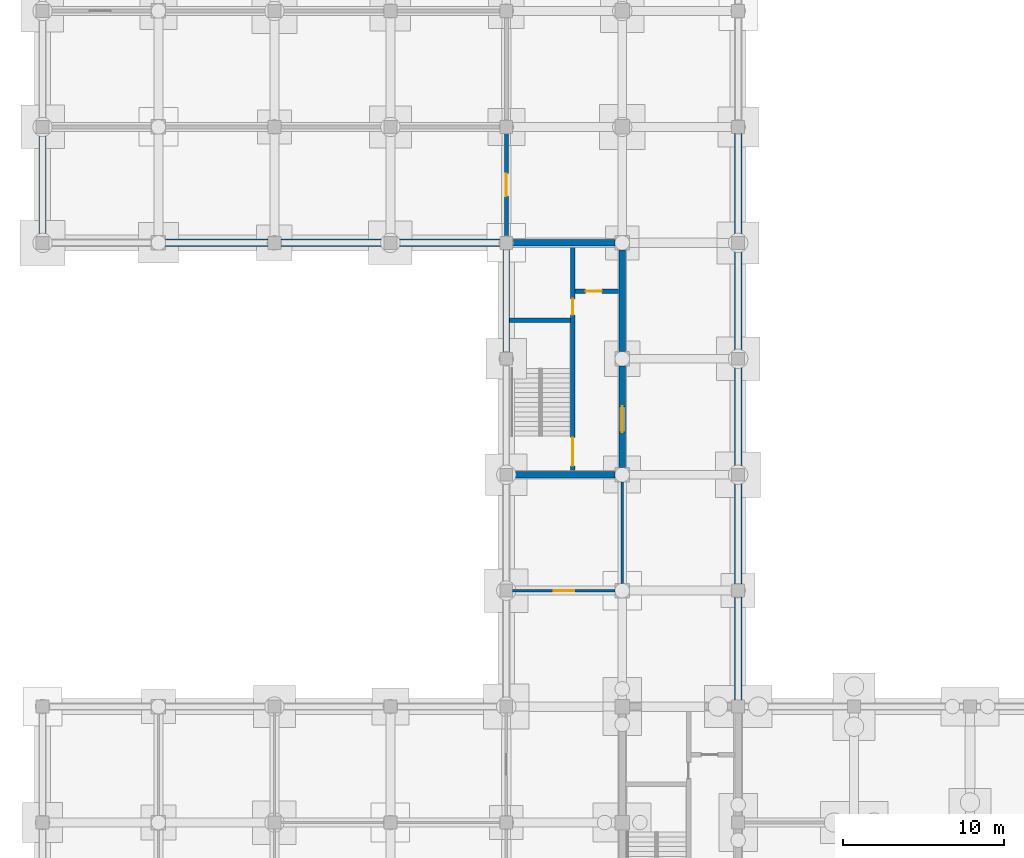
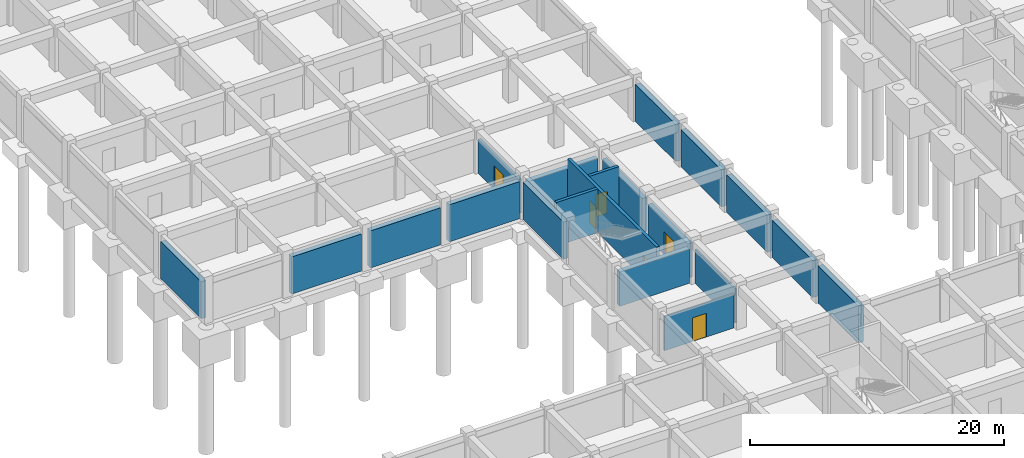
# One storey, part 15 of 25: 20 walls, 6 doors, 6 openings.
"""IFC4 building model written with IfcOpenShell, lengths in metres."""

from ifc_helpers import new_model, si_unit, direction, frame, frame_2d, origin, place, context, subcontext, project, spatial, rectangle, extrude, material, layer, layer_set, type_object, element, fill, save


model = new_model("IFC4")

# Units and contexts
model_context = context("Model", 3, precision=1e-05, world=origin(), true_north=direction((0.0, 1.0)))
body_context = subcontext(model_context, "Body", "Model", "MODEL_VIEW")
ifc_project = project(units=[si_unit("LENGTHUNIT", "METRE"), si_unit("AREAUNIT", "SQUARE_METRE"), si_unit("VOLUMEUNIT", "CUBIC_METRE"), si_unit("PLANEANGLEUNIT", "RADIAN"), si_unit("MASSUNIT", "GRAM", prefix="KILO")], contexts=[model_context])

# Site, building, storey
site_placement = place(None, origin())
site = spatial("IfcSite", under=ifc_project, at=site_placement, CompositionType="ELEMENT")
building_placement = place(site_placement, origin())
building = spatial("IfcBuilding", under=site, at=building_placement, Name="Cendaluz Park School", CompositionType="ELEMENT")
storey_placement = place(building_placement, frame((0.0, 0.0, -4.5)))
storey = spatial("IfcBuildingStorey", under=building, at=storey_placement, Name="B1", CompositionType="ELEMENT", Elevation=-4.5)

# Wall, opening, door
ifc_material_1 = material(Name="Gypsum Plasterboard on Cold-Formed Stud", Category="gypsum")
ifc_layer_1 = layer(ifc_material_1, 0.25)
ifc_layer_set_1 = layer_set([ifc_layer_1], Name="Gypsum Plasterboard on Cold-Formed Stud")
wall_type_1 = type_object("IfcWallType", Name="W-CP25", PredefinedType="PARTITIONING", material=ifc_layer_set_1)
wall_1_placement = place(storey_placement, frame((28.800048828125, 58.0, 0.0), z_axis=(0.0, 0.0, 1.0), x_axis=(0.0, 1.0, 0.0)))
wall_1 = element("IfcWall", 1, at=wall_1_placement, inside=storey, type_object=wall_type_1, Name="WL-BA-BY4", PredefinedType="PARTITIONING", context=body_context, shape_type="SweptSolid", body=[
    extrude(rectangle(XDim=6.39990234375, YDim=0.25, at=frame_2d((3.199951171875, 0.0))), origin(), (0.0, 0.0, 1.0), 3.300048828125),
])
opening_1_placement = place(wall_1_placement, frame((2.5, 0.0, 0.0)))
opening_1 = element("IfcOpeningElement", 2, at=opening_1_placement, cuts=wall_1, Name="Opening DPL-01", PredefinedType="OPENING", context=body_context, shape_type="SweptSolid", body=[
    extrude(rectangle(XDim=1.39990234375, YDim=2.25, at=frame_2d((0.699951171875, 1.125))), frame((0.0, 0.136962890625, 0.0), z_axis=(0.0, -1.0, 0.0), x_axis=(1.0, 0.0, 0.0)), (0.0, 0.0, 1.0), 0.27392578125),
])
ifc_material_2 = material(Name="Solid Core Hardwood", Category="wood")
door_type_1 = type_object("IfcDoorType", Name="DPL-01", OperationType="DOUBLE_DOOR_SINGLE_SWING", PredefinedType="DOOR", material=ifc_material_2)
door_1_placement = place(opening_1_placement, frame((1.39990234375, 0.0, 0.0), z_axis=(0.0, 0.0, 1.0), x_axis=(-1.0, 0.0, 0.0)))
door_1 = element("IfcDoor", 3, at=door_1_placement, inside=storey, type_object=door_type_1, Name="D-B1-035", OperationType="DOUBLE_DOOR_SINGLE_SWING", OverallHeight=2.25, OverallWidth=1.39990234375, PredefinedType="DOOR", context=body_context, shape_type="SweptSolid", body=[
    extrude(rectangle(XDim=1.39990234375, YDim=2.25, at=frame_2d((0.699951171875, 1.125))), frame((0.0, 0.02490234375, 0.0), z_axis=(0.0, -1.0, 0.0), x_axis=(1.0, 0.0, 0.0)), (0.0, 0.0, 1.0), 0.050048828125),
])
fill(opening_1, door_1)

# Wall, openings, doors
ifc_material_3 = material(Name="Concrete C40/50", Category="concrete")
ifc_layer_2 = layer(ifc_material_3, 0.280029296875)
ifc_layer_set_2 = layer_set([ifc_layer_2], Name="Concrete C40/50")
wall_type_2 = type_object("IfcWallType", Name="W-FW28", PredefinedType="SHEAR", material=ifc_layer_set_2)
wall_2_placement = place(storey_placement, frame((32.919921875, 43.39990234375, 0.0), z_axis=(0.0, 0.0, 1.0), x_axis=(0.0, 1.0, 0.0)))
wall_2 = element("IfcWall", 4, at=wall_2_placement, inside=storey, type_object=wall_type_2, Name="WL-BA-BW8", PredefinedType="SHEAR", context=body_context, shape_type="SweptSolid", body=[
    extrude(rectangle(XDim=14.0, YDim=0.280029296875, at=frame_2d((7.0, 0.0))), origin(), (0.0, 0.0, 1.0), 4.199951171875),
])
opening_2_placement = place(wall_2_placement, frame((0.35009765625, 0.0, 0.0)))
opening_2 = element("IfcOpeningElement", 5, at=opening_2_placement, cuts=wall_2, Name="Opening DST-03", PredefinedType="OPENING", context=body_context, shape_type="SweptSolid", body=[
    extrude(rectangle(XDim=1.75, YDim=2.14990234375, at=frame_2d((0.875, 1.074951171875))), frame((0.0, 0.152099609375, 0.0), z_axis=(0.0, -1.0, 0.0), x_axis=(1.0, 0.0, 0.0)), (0.0, 0.0, 1.0), 0.303955078125),
])
opening_3_placement = place(wall_2_placement, frame((9.719970703125, 0.0, 0.0)))
opening_3 = element("IfcOpeningElement", 6, at=opening_3_placement, cuts=wall_2, Name="Opening DFC-01", PredefinedType="OPENING", context=body_context, shape_type="SweptSolid", body=[
    extrude(rectangle(XDim=1.0, YDim=2.14990234375, at=frame_2d((0.5, 1.074951171875))), frame((0.0, 0.152099609375, 0.0), z_axis=(0.0, -1.0, 0.0), x_axis=(1.0, 0.0, 0.0)), (0.0, 0.0, 1.0), 0.303955078125),
])
door_type_2 = type_object("IfcDoorType", Name="DFC-01", OperationType="NOTDEFINED", PredefinedType="DOOR", material=ifc_material_2)
door_2_placement = place(opening_3_placement, origin())
door_2 = element("IfcDoor", 7, at=door_2_placement, inside=storey, type_object=door_type_2, Name="D-B1-029", OperationType="SINGLE_SWING_LEFT", OverallHeight=2.14990234375, OverallWidth=1.0, PredefinedType="DOOR", context=body_context, shape_type="SweptSolid", body=[
    extrude(rectangle(XDim=1.0, YDim=2.14990234375, at=frame_2d((0.5, 1.074951171875))), frame((0.0, 0.02490234375, 0.0), z_axis=(0.0, -1.0, 0.0), x_axis=(1.0, 0.0, 0.0)), (0.0, 0.0, 1.0), 0.050048828125),
])
fill(opening_3, door_2)
door_type_3 = type_object("IfcDoorType", Name="DST-03", OperationType="DOUBLE_DOOR_SINGLE_SWING", PredefinedType="DOOR", material=ifc_material_2)
door_3_placement = place(opening_2_placement, origin())
door_3 = element("IfcDoor", 8, at=door_3_placement, inside=storey, type_object=door_type_3, Name="D-B1-028", OperationType="DOUBLE_DOOR_SINGLE_SWING", OverallHeight=2.14990234375, OverallWidth=1.75, PredefinedType="DOOR", context=body_context, shape_type="SweptSolid", body=[
    extrude(rectangle(XDim=1.75, YDim=2.14990234375, at=frame_2d((0.875, 1.074951171875))), frame((0.0, 0.02490234375, 0.0), z_axis=(0.0, -1.0, 0.0), x_axis=(1.0, 0.0, 0.0)), (0.0, 0.0, 1.0), 0.050048828125),
])
fill(opening_2, door_3)

# Wall
wall_3_placement = place(storey_placement, frame((29.0, 52.780029296875, 0.0), z_axis=(0.0, 0.0, 1.0), x_axis=(1.0, 0.0, 0.0)))
element("IfcWall", 9, at=wall_3_placement, inside=storey, type_object=wall_type_2, Name="WL-BA-BW9", PredefinedType="SHEAR", context=body_context, shape_type="SweptSolid", body=[
    extrude(rectangle(XDim=3.780029296875, YDim=0.280029296875, at=frame_2d((1.89013671875, 0.0))), origin(), (0.0, 0.0, 1.0), 4.199951171875),
])

# Wall, opening, door
wall_4_placement = place(storey_placement, frame((33.080078125, 54.60009765625, 0.0), z_axis=(0.0, 0.0, 1.0), x_axis=(1.0, 0.0, 0.0)))
wall_4 = element("IfcWall", 10, at=wall_4_placement, inside=storey, type_object=wall_type_2, Name="WL-BA-BX0", PredefinedType="SHEAR", context=body_context, shape_type="SweptSolid", body=[
    extrude(rectangle(XDim=2.679931640625, YDim=0.280029296875, at=frame_2d((1.33984375, 0.0))), origin(), (0.0, 0.0, 1.0), 4.199951171875),
])
opening_4_placement = place(wall_4_placement, frame((0.64990234375, 0.0, 0.0)))
opening_4 = element("IfcOpeningElement", 11, at=opening_4_placement, cuts=wall_4, Name="Opening DFC-01", PredefinedType="OPENING", context=body_context, shape_type="SweptSolid", body=[
    extrude(rectangle(XDim=1.0, YDim=2.14990234375, at=frame_2d((0.5, 1.074951171875))), frame((0.0, 0.152099609375, 0.0), z_axis=(0.0, -1.0, 0.0), x_axis=(1.0, 0.0, 0.0)), (0.0, 0.0, 1.0), 0.303955078125),
])
door_4_placement = place(opening_4_placement, frame((1.0, 0.0, 0.0), z_axis=(0.0, 0.0, 1.0), x_axis=(-1.0, 0.0, 0.0)))
door_4 = element("IfcDoor", 12, at=door_4_placement, inside=storey, type_object=door_type_2, Name="D-B1-030", OperationType="SINGLE_SWING_RIGHT", OverallHeight=2.14990234375, OverallWidth=1.0, PredefinedType="DOOR", context=body_context, shape_type="SweptSolid", body=[
    extrude(rectangle(XDim=1.0, YDim=2.14990234375, at=frame_2d((0.5, 1.074951171875))), frame((0.0, 0.02490234375, 0.0), z_axis=(0.0, -1.0, 0.0), x_axis=(1.0, 0.0, 0.0)), (0.0, 0.0, 1.0), 0.050048828125),
])
fill(opening_4, door_4)

# Walls
ifc_layer_3 = layer(ifc_material_3, 0.449951171875)
ifc_layer_set_3 = layer_set([ifc_layer_3], Name="Concrete C40/50")
wall_type_3 = type_object("IfcWallType", Name="W-RT45", PredefinedType="SOLIDWALL", material=ifc_layer_set_3)
wall_5_placement = place(storey_placement, frame((0.0, 58.0, 0.0), z_axis=(0.0, 0.0, 1.0), x_axis=(0.0, 1.0, 0.0)))
element("IfcWall", 13, at=wall_5_placement, inside=storey, type_object=wall_type_3, Name="WL-BA-AA7", PredefinedType="SOLIDWALL", context=body_context, shape_type="SweptSolid", body=[
    extrude(rectangle(XDim=6.39990234375, YDim=0.449951171875, at=frame_2d((3.199951171875, 0.0))), origin(), (0.0, 0.0, 1.0), 3.570068359375),
])
wall_6_placement = place(storey_placement, frame((7.64990234375, 57.60009765625, 0.0), z_axis=(0.0, 0.0, 1.0), x_axis=(1.0, 0.0, 0.0)))
element("IfcWall", 14, at=wall_6_placement, inside=storey, type_object=wall_type_3, Name="WL-BA-AB8", PredefinedType="SOLIDWALL", context=body_context, shape_type="SweptSolid", body=[
    extrude(rectangle(XDim=6.35009765625, YDim=0.449951171875, at=frame_2d((3.175048828125, 0.0))), origin(), (0.0, 0.0, 1.0), 3.570068359375),
])
for number, where, z_axis, x_axis, name in (
    (15, (14.800048828125, 57.60009765625, 0.0), (0.0, 0.0, 1.0), (1.0, 0.0, 0.0), "WL-BA-AC2"),
    (16, (22.0, 57.60009765625, 0.0), (0.0, 0.0, 1.0), (1.0, 0.0, 0.0), "WL-BA-AC6"),
):
    element("IfcWall", number, at=place(storey_placement, frame(where, z_axis=z_axis, x_axis=x_axis)), inside=storey, type_object=wall_type_3, Name=name, PredefinedType="SOLIDWALL", context=body_context, shape_type="SweptSolid", body=[
        extrude(rectangle(XDim=6.39990234375, YDim=0.449951171875, at=frame_2d((3.199951171875, 0.0))), origin(), (0.0, 0.0, 1.0), 3.570068359375),
    ])
for number, where, z_axis, x_axis, name in (
    (17, (43.199951171875, 29.199951171875, 0.0), (0.0, 0.0, 1.0), (0.0, 1.0, 0.0), "WL-BA-AD4"),
    (18, (43.199951171875, 36.39990234375, 0.0), (0.0, 0.0, 1.0), (0.0, 1.0, 0.0), "WL-BA-AD5"),
):
    element("IfcWall", number, at=place(storey_placement, frame(where, z_axis=z_axis, x_axis=x_axis)), inside=storey, type_object=wall_type_3, Name=name, PredefinedType="SOLIDWALL", context=body_context, shape_type="SweptSolid", body=[
        extrude(rectangle(XDim=6.400146484375, YDim=0.449951171875, at=frame_2d((3.2001953125, 0.0))), origin(), (0.0, 0.0, 1.0), 3.570068359375),
    ])
for number, where, z_axis, x_axis, name in (
    (19, (43.199951171875, 43.60009765625, 0.0), (0.0, 0.0, 1.0), (0.0, 1.0, 0.0), "WL-BA-AD6"),
    (20, (43.199951171875, 50.800048828125, 0.0), (0.0, 0.0, 1.0), (0.0, 1.0, 0.0), "WL-BA-AD7"),
    (21, (43.199951171875, 58.0, 0.0), (0.0, 0.0, 1.0), (0.0, 1.0, 0.0), "WL-BA-AD8"),
):
    element("IfcWall", number, at=place(storey_placement, frame(where, z_axis=z_axis, x_axis=x_axis)), inside=storey, type_object=wall_type_3, Name=name, PredefinedType="SOLIDWALL", context=body_context, shape_type="SweptSolid", body=[
        extrude(rectangle(XDim=6.39990234375, YDim=0.449951171875, at=frame_2d((3.199951171875, 0.0))), origin(), (0.0, 0.0, 1.0), 3.570068359375),
    ])
ifc_layer_4 = layer(ifc_material_3, 0.419921875)
ifc_layer_set_4 = layer_set([ifc_layer_4], Name="Concrete C40/50")
wall_type_4 = type_object("IfcWallType", Name="W-SH42", PredefinedType="SHEAR", material=ifc_layer_set_4)
wall_7_placement = place(storey_placement, frame((28.800048828125, 50.800048828125, 0.0), z_axis=(0.0, 0.0, 1.0), x_axis=(0.0, 1.0, 0.0)))
element("IfcWall", 22, at=wall_7_placement, inside=storey, type_object=wall_type_4, Name="WL-BA-BW3", PredefinedType="SHEAR", context=body_context, shape_type="SweptSolid", body=[
    extrude(rectangle(XDim=6.39990234375, YDim=0.419921875, at=frame_2d((3.199951171875, 0.0))), origin(), (0.0, 0.0, 1.0), 3.570068359375),
])

# Wall, opening, door
wall_8_placement = place(storey_placement, frame((36.0, 43.64990234375, 0.0), z_axis=(0.0, 0.0, 1.0), x_axis=(0.0, 1.0, 0.0)))
wall_8 = element("IfcWall", 23, at=wall_8_placement, inside=storey, type_object=wall_type_4, Name="WL-BA-BW4", PredefinedType="SHEAR", context=body_context, shape_type="SweptSolid", body=[
    extrude(rectangle(XDim=6.300048828125, YDim=0.419921875, at=frame_2d((3.14990234375, 0.0))), origin(), (0.0, 0.0, 1.0), 3.300048828125),
])
opening_5_placement = place(wall_8_placement, frame((2.199951171875, 0.0, 0.0)))
opening_5 = element("IfcOpeningElement", 24, at=opening_5_placement, cuts=wall_8, Name="Opening DLB-01", PredefinedType="OPENING", context=body_context, shape_type="SweptSolid", body=[
    extrude(rectangle(XDim=1.60009765625, YDim=2.199951171875, at=frame_2d((0.800048828125, 1.10009765625))), frame((0.0, 0.221923828125, 0.0), z_axis=(0.0, -1.0, 0.0), x_axis=(1.0, 0.0, 0.0)), (0.0, 0.0, 1.0), 0.44384765625),
])
door_type_4 = type_object("IfcDoorType", Name="DLB-01", OperationType="DOUBLE_DOOR_SINGLE_SWING", PredefinedType="DOOR", material=ifc_material_2)
door_5_placement = place(opening_5_placement, origin())
door_5 = element("IfcDoor", 25, at=door_5_placement, inside=storey, type_object=door_type_4, Name="D-B1-027", OperationType="DOUBLE_DOOR_SINGLE_SWING", OverallHeight=2.199951171875, OverallWidth=1.60009765625, PredefinedType="DOOR", context=body_context, shape_type="SweptSolid", body=[
    extrude(rectangle(XDim=1.60009765625, YDim=2.199951171875, at=frame_2d((0.800048828125, 1.10009765625))), frame((0.0, 0.02490234375, 0.0), z_axis=(0.0, -1.0, 0.0), x_axis=(1.0, 0.0, 0.0)), (0.0, 0.0, 1.0), 0.050048828125),
])
fill(opening_5, door_5)

# Walls
wall_9_placement = place(storey_placement, frame((36.0, 50.85009765625, 0.0), z_axis=(0.0, 0.0, 1.0), x_axis=(0.0, 1.0, 0.0)))
element("IfcWall", 26, at=wall_9_placement, inside=storey, type_object=wall_type_4, Name="WL-BA-BW5", PredefinedType="SHEAR", context=body_context, shape_type="SweptSolid", body=[
    extrude(rectangle(XDim=6.2998046875, YDim=0.419921875, at=frame_2d((3.14990234375, 0.0))), origin(), (0.0, 0.0, 1.0), 3.300048828125),
])
for number, where, z_axis, x_axis, name in (
    (27, (29.199951171875, 43.199951171875, 0.0), (0.0, 0.0, 1.0), (1.0, 0.0, 0.0), "WL-BA-BW6"),
    (28, (29.199951171875, 57.60009765625, 0.0), (0.0, 0.0, 1.0), (1.0, 0.0, 0.0), "WL-BA-BW7"),
):
    element("IfcWall", number, at=place(storey_placement, frame(where, z_axis=z_axis, x_axis=x_axis)), inside=storey, type_object=wall_type_4, Name=name, PredefinedType="SHEAR", context=body_context, shape_type="SweptSolid", body=[
        extrude(rectangle(XDim=6.35009765625, YDim=0.419921875, at=frame_2d((3.175048828125, 0.0))), origin(), (0.0, 0.0, 1.0), 3.300048828125),
    ])

# Wall, opening, door
ifc_layer_5 = layer(ifc_material_1, 0.139892578125)
ifc_layer_set_5 = layer_set([ifc_layer_5], Name="Gypsum Plasterboard on Cold-Formed Stud")
wall_type_5 = type_object("IfcWallType", Name="W-ST14", PredefinedType="PARTITIONING", material=ifc_layer_set_5)
wall_10_placement = place(storey_placement, frame((29.199951171875, 36.0, 0.0), z_axis=(0.0, 0.0, 1.0), x_axis=(1.0, 0.0, 0.0)))
wall_10 = element("IfcWall", 29, at=wall_10_placement, inside=storey, type_object=wall_type_5, Name="WL-BA-CJ6", PredefinedType="PARTITIONING", context=body_context, shape_type="SweptSolid", body=[
    extrude(rectangle(XDim=6.35009765625, YDim=0.139892578125, at=frame_2d((3.175048828125, 0.0))), origin(), (0.0, 0.0, 1.0), 3.300048828125),
])
opening_6_placement = place(wall_10_placement, frame((2.534912109375, 0.0, 0.0)))
opening_6 = element("IfcOpeningElement", 30, at=opening_6_placement, cuts=wall_10, Name="Opening DCL-10", PredefinedType="OPENING", context=body_context, shape_type="SweptSolid", body=[
    extrude(rectangle(XDim=1.280029296875, YDim=2.280029296875, at=frame_2d((0.64013671875, 1.14013671875))), frame((0.0, 0.08203125, 0.0), z_axis=(0.0, -1.0, 0.0), x_axis=(1.0, 0.0, 0.0)), (0.0, 0.0, 1.0), 0.163818359375),
])
door_type_5 = type_object("IfcDoorType", Name="DCL-10", OperationType="NOTDEFINED", PredefinedType="DOOR", material=ifc_material_2)
door_6_placement = place(opening_6_placement, origin())
door_6 = element("IfcDoor", 31, at=door_6_placement, inside=storey, type_object=door_type_5, Name="D-B1-064", OperationType="SINGLE_SWING_LEFT", OverallHeight=2.280029296875, OverallWidth=1.280029296875, PredefinedType="DOOR", context=body_context, shape_type="SweptSolid", body=[
    extrude(rectangle(XDim=1.280029296875, YDim=2.280029296875, at=frame_2d((0.64013671875, 1.14013671875))), frame((0.0, 0.02490234375, 0.0), z_axis=(0.0, -1.0, 0.0), x_axis=(1.0, 0.0, 0.0)), (0.0, 0.0, 1.0), 0.050048828125),
])
fill(opening_6, door_6)

# Wall
wall_11_placement = place(storey_placement, frame((36.0, 36.449951171875, 0.0), z_axis=(0.0, 0.0, 1.0), x_axis=(0.0, 1.0, 0.0)))
element("IfcWall", 32, at=wall_11_placement, inside=storey, type_object=wall_type_5, Name="WL-BA-CJ7", PredefinedType="PARTITIONING", context=body_context, shape_type="SweptSolid", body=[
    extrude(rectangle(XDim=6.300048828125, YDim=0.139892578125, at=frame_2d((3.14990234375, 0.0))), origin(), (0.0, 0.0, 1.0), 3.300048828125),
])

save(model, "model.ifc")
